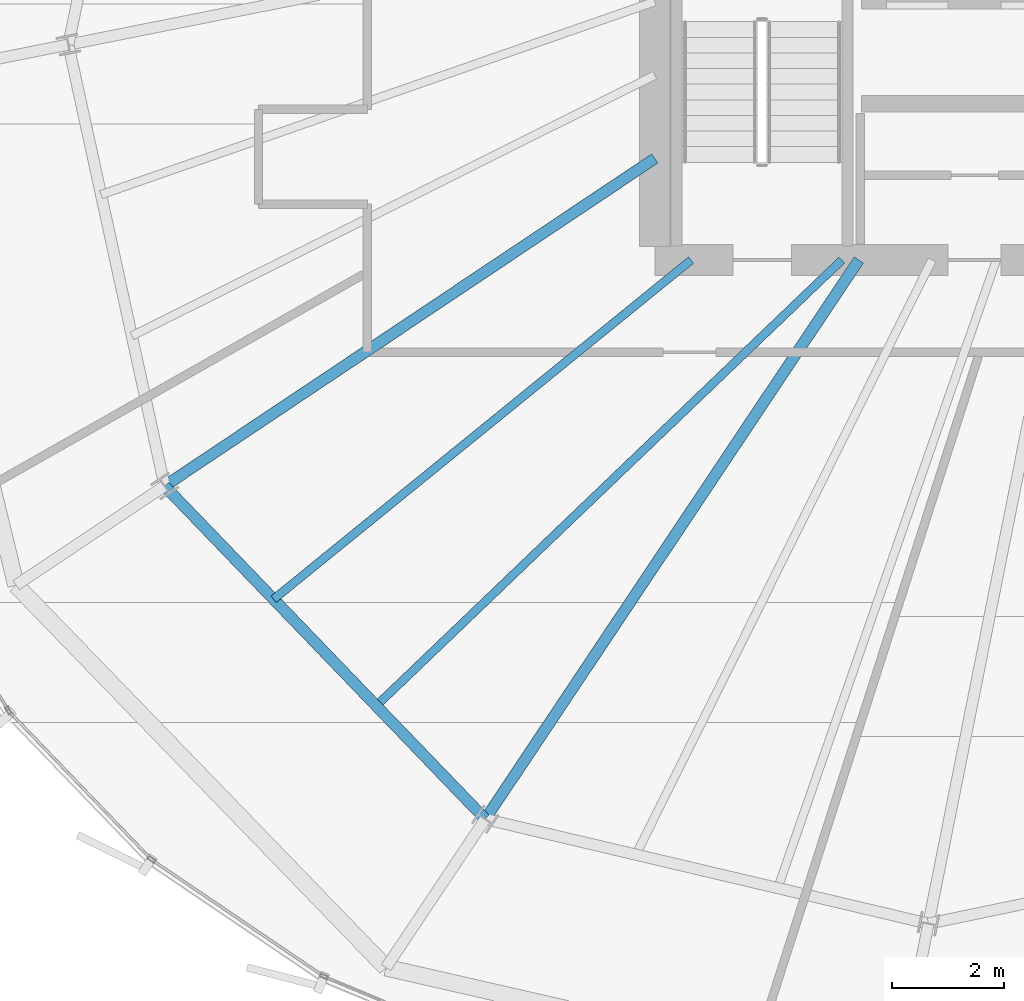
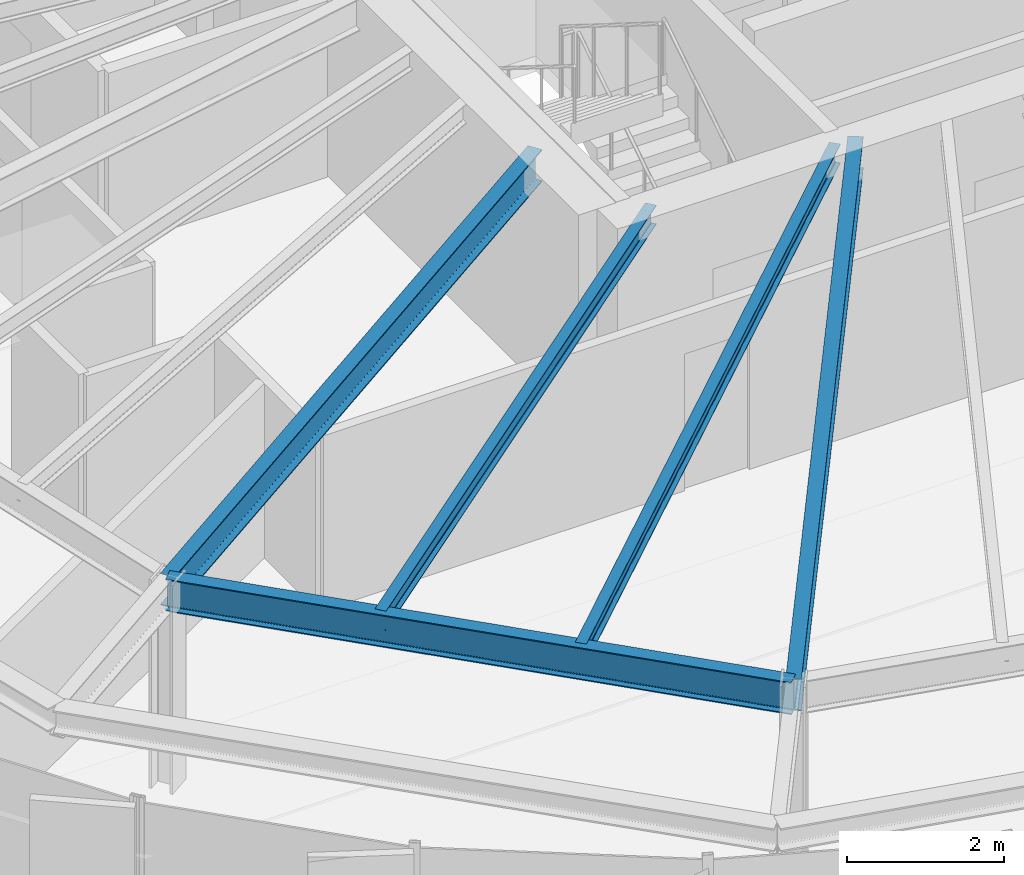
# One storey, part 5 of 34: 5 beams.
"""IFC4 building model written with IfcOpenShell, lengths in metres."""

from ifc_helpers import new_model, si_unit, direction, frame, origin, origin_2d, place, context, subcontext, project, spatial, i_section, extrude, source, transform, mapped, material, material_profile, profile_set, type_object, element, save


model = new_model("IFC4")

# Units and contexts
model_context = context("Model", 3, precision=1e-05, world=origin(), true_north=direction((0.0, 1.0)))
body_context = subcontext(model_context, "Body", "Model", "MODEL_VIEW")
ifc_project = project(units=[si_unit("LENGTHUNIT", "METRE"), si_unit("AREAUNIT", "SQUARE_METRE"), si_unit("VOLUMEUNIT", "CUBIC_METRE"), si_unit("PLANEANGLEUNIT", "RADIAN"), si_unit("MASSUNIT", "GRAM", prefix="KILO"), si_unit("THERMODYNAMICTEMPERATUREUNIT", "KELVIN")], contexts=[model_context])

# Site, building, storey
site_placement = place(None, origin())
site = spatial("IfcSite", under=ifc_project, at=site_placement, CompositionType="ELEMENT")
building_placement = place(site_placement, origin())
building = spatial("IfcBuilding", under=site, at=building_placement, Name="Kethvar Cultural Tower", CompositionType="ELEMENT")
storey_placement = place(building_placement, frame((0.0, 0.0, 186.89990234375)))
storey = spatial("IfcBuildingStorey", under=building, at=storey_placement, Name="L48", CompositionType="ELEMENT", Elevation=186.89990234375)

# Beams
ifc_material = material(Name="Steel S355J2", Category="steel")
ifc_material_profile_1 = material_profile(ifc_material, i_section(OverallWidth=0.199951171875, OverallDepth=0.5, WebThickness=0.01025390625, FlangeThickness=0.01611328125, FilletRadius=0.02099609375, at=origin_2d()), Name="Steel S355J2 — IPE500")
ifc_profile_set_1 = profile_set([ifc_material_profile_1], Name="Steel S355J2 — IPE500")
beam_type_1 = type_object("IfcBeamType", Name="BM-IPE500", PredefinedType="BEAM", material=ifc_profile_set_1)
shared_shape_1 = source(origin(), body_context, "Body", "SweptSolid", [
    extrude(i_section(OverallWidth=0.199951171875, OverallDepth=0.5, WebThickness=0.01025390625, FlangeThickness=0.01611328125, FilletRadius=0.02099609375, at=origin_2d()), origin(), (0.0, 0.0, 1.0), 10.562744140625),
])
beam_1_placement = place(storey_placement, frame((38.0, 21.920166015625, 3.008056640625), z_axis=(-0.831463100754, -0.555579978117, 0.0), x_axis=(0.555579978117, -0.831463100754, 0.0)))
element("IfcBeam", 1, at=beam_1_placement, inside=storey, type_object=beam_type_1, Name="L48 Primary Radial Beam RB-10", PredefinedType="BEAM", context=body_context, shape_type="MappedRepresentation", body=[
    mapped(shared_shape_1, transform((0.0, 0.0, 0.0), scale=1.0)),
])
shared_shape_2 = source(origin(), body_context, "Body", "SweptSolid", [
    extrude(i_section(OverallWidth=0.199951171875, OverallDepth=0.5, WebThickness=0.01025390625, FlangeThickness=0.01611328125, FilletRadius=0.02099609375, at=origin_2d()), origin(), (0.0, 0.0, 1.0), 12.0458984375),
])
beam_2_placement = place(storey_placement, frame((41.655029296875, 20.10009765625, 3.008056640625), z_axis=(-0.555569831996, -0.831469880258, 0.0), x_axis=(0.831469880258, -0.555569831996, 0.0)))
element("IfcBeam", 2, at=beam_2_placement, inside=storey, type_object=beam_type_1, Name="L48 Primary Radial Beam RB-11", PredefinedType="BEAM", context=body_context, shape_type="MappedRepresentation", body=[
    mapped(shared_shape_2, transform((0.0, 0.0, 0.0), scale=1.0)),
])
shared_shape_3 = source(origin(), body_context, "Body", "SweptSolid", [
    extrude(i_section(OverallWidth=0.199951171875, OverallDepth=0.5, WebThickness=0.01025390625, FlangeThickness=0.01611328125, FilletRadius=0.02099609375, at=origin_2d()), origin(), (0.0, 0.0, 1.0), 8.28369140625),
])
beam_3_placement = place(storey_placement, frame((29.217529296875, 16.0517578125, 3.008056640625), z_axis=(0.693554459208, -0.72040420051, 0.0), x_axis=(0.72040420051, 0.693554459208, 0.0)))
element("IfcBeam", 3, at=beam_3_placement, inside=storey, type_object=beam_type_1, Name="L48 Column Ring Tie Beam CR-10", PredefinedType="BEAM", context=body_context, shape_type="MappedRepresentation", body=[
    mapped(shared_shape_3, transform((0.0, 0.0, 0.0), scale=1.0)),
])
ifc_material_profile_2 = material_profile(ifc_material, i_section(OverallWidth=0.14990234375, OverallDepth=0.300048828125, WebThickness=0.007080078125, FlangeThickness=0.0107421875, FilletRadius=0.014892578125, at=origin_2d()), Name="Steel S355J2 — IPE300")
ifc_profile_set_2 = profile_set([ifc_material_profile_2], Name="Steel S355J2 — IPE300")
beam_type_2 = type_object("IfcBeamType", Name="BM-J300", PredefinedType="JOIST", material=ifc_profile_set_2)
shared_shape_4 = source(origin(), body_context, "Body", "SweptSolid", [
    extrude(i_section(OverallWidth=0.14990234375, OverallDepth=0.300048828125, WebThickness=0.007080078125, FlangeThickness=0.0107421875, FilletRadius=0.014892578125, at=origin_2d()), origin(), (0.0, 0.0, 1.0), 9.63671875),
])
beam_4_placement = place(storey_placement, frame((38.64990234375, 20.10009765625, 3.108154296875), z_axis=(-0.776090751649, -0.630621237515, 0.0), x_axis=(0.630621237515, -0.776090751649, 0.0)))
element("IfcBeam", 4, at=beam_4_placement, inside=storey, type_object=beam_type_2, Name="L48 Composite Floor Joist J-10A", PredefinedType="JOIST", context=body_context, shape_type="MappedRepresentation", body=[
    mapped(shared_shape_4, transform((0.0, 0.0, 0.0), scale=1.0)),
])
shared_shape_5 = source(origin(), body_context, "Body", "SweptSolid", [
    extrude(i_section(OverallWidth=0.14990234375, OverallDepth=0.300048828125, WebThickness=0.007080078125, FlangeThickness=0.0107421875, FilletRadius=0.014892578125, at=origin_2d()), origin(), (0.0, 0.0, 1.0), 11.548095703125),
])
beam_5_placement = place(storey_placement, frame((41.35009765625, 20.10009765625, 3.108154296875), z_axis=(-0.722268013472, -0.691613271067, 0.0), x_axis=(0.691613271067, -0.722268013472, 0.0)))
element("IfcBeam", 5, at=beam_5_placement, inside=storey, type_object=beam_type_2, Name="L48 Composite Floor Joist J-10B", PredefinedType="JOIST", context=body_context, shape_type="MappedRepresentation", body=[
    mapped(shared_shape_5, transform((0.0, 0.0, 0.0), scale=1.0)),
])

save(model, "model.ifc")
